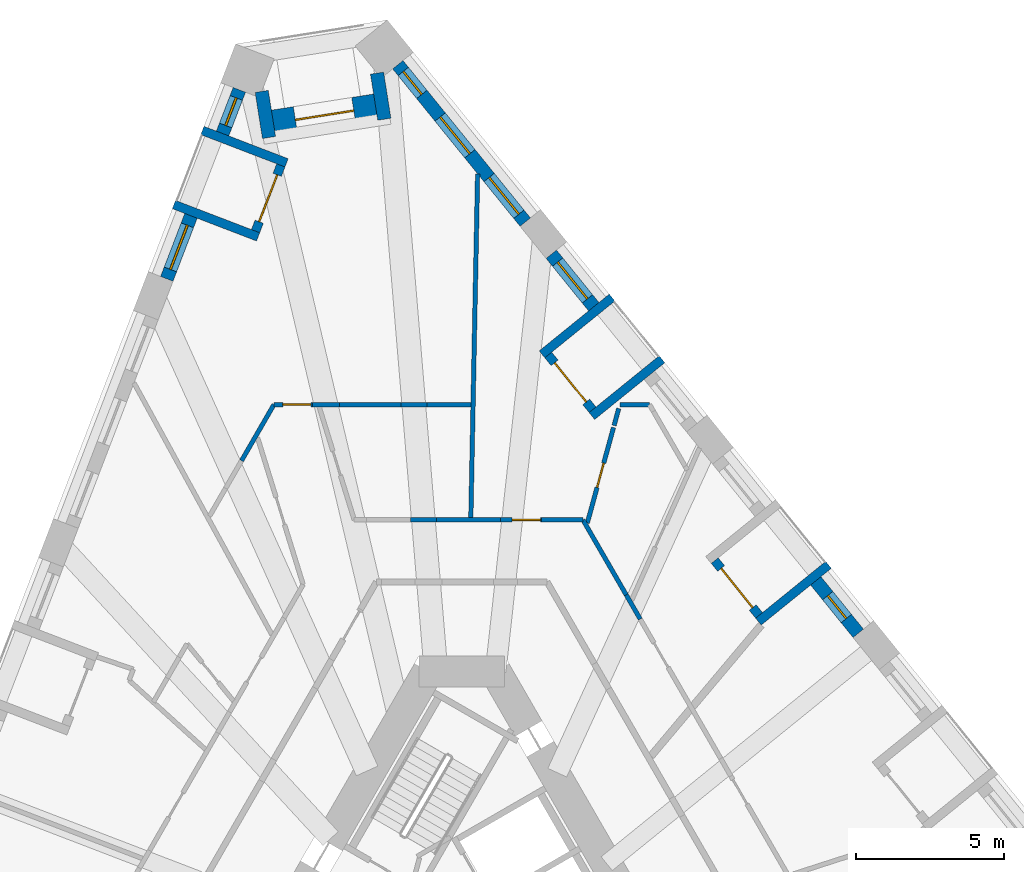
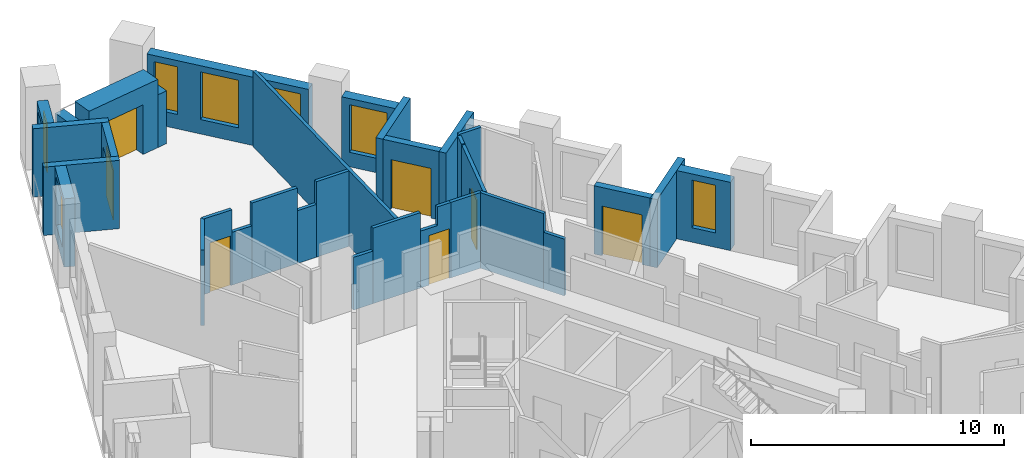
# One storey, part 9 of 14: 32 walls, 7 doors, 7 windows, 14 openings.
"""IFC4 building model written with IfcOpenShell, lengths in metres."""

from ifc_helpers import new_model, si_unit, direction, frame, frame_2d, origin, place, context, subcontext, project, spatial, polyline, rectangle, outline, extrude, material, layer, layer_set, type_object, element, fill, save


model = new_model("IFC4")

# Units and contexts
model_context = context("Model", 3, precision=1e-05, world=origin(), true_north=direction((0.0, 1.0)))
body_context = subcontext(model_context, "Body", "Model", "MODEL_VIEW")
ifc_project = project(units=[si_unit("LENGTHUNIT", "METRE"), si_unit("AREAUNIT", "SQUARE_METRE"), si_unit("VOLUMEUNIT", "CUBIC_METRE"), si_unit("PLANEANGLEUNIT", "RADIAN"), si_unit("MASSUNIT", "GRAM", prefix="KILO")], contexts=[model_context])

# Site, building, storey
site_placement = place(None, origin())
site = spatial("IfcSite", under=ifc_project, at=site_placement, CompositionType="ELEMENT")
building_placement = place(site_placement, origin())
building = spatial("IfcBuilding", under=site, at=building_placement, Name="Tramontana Tower", CompositionType="ELEMENT")
storey_placement = place(building_placement, frame((0.0, 0.0, 63.199951171875)))
storey = spatial("IfcBuildingStorey", under=building, at=storey_placement, Name="L13", CompositionType="ELEMENT", Elevation=63.199951171875)

# Wall, opening, window
ifc_material_1 = material(Name="Precast concrete 60 MPa", Category="concrete")
ifc_layer_1 = layer(ifc_material_1, 0.449951171875)
ifc_layer_set_1 = layer_set([ifc_layer_1], Name="Precast concrete 60 MPa, 450 mm")
wall_type_1 = type_object("IfcWallType", Name="EW1 Stone-faced precast wall 450", PredefinedType="SOLIDWALL", material=ifc_layer_set_1)
wall_1_placement = place(storey_placement, frame((-7.521728515625, 30.14453125, 0.0), z_axis=(0.0, 0.0, 1.0), x_axis=(-0.358431261356, -0.933556120907, 0.0)))
wall_1 = element("IfcWall", 1, at=wall_1_placement, inside=storey, type_object=wall_type_1, Name="External wall L13 face 0 bay 1", PredefinedType="SOLIDWALL", context=body_context, shape_type="SweptSolid", body=[
    extrude(rectangle(XDim=1.5830078125, YDim=0.449951171875, at=frame_2d((0.79150390625, 0.0))), origin(), (0.0, 0.0, 1.0), 3.300048828125),
])
opening_1_placement = place(wall_1_placement, frame((0.29150390625, 0.0, 0.699951171875)))
opening_1 = element("IfcOpeningElement", 2, at=opening_1_placement, cuts=wall_1, Name="Opening N1", PredefinedType="OPENING", context=body_context, shape_type="SweptSolid", body=[
    extrude(rectangle(XDim=1.0, YDim=2.300048828125, at=frame_2d((0.5, 1.14990234375))), frame((0.0, 0.23486328125, 0.0), z_axis=(0.0, -1.0, 0.0), x_axis=(1.0, 0.0, 0.0)), (0.0, 0.0, 1.0), 0.469970703125),
])
ifc_material_2 = material(Name="Aluminum frame, double glazing unit", Category="aluminium")
window_type_1 = type_object("IfcWindowType", Name="N1 Window 1 x 2.3", PartitioningType="SINGLE_PANEL", PredefinedType="WINDOW", material=ifc_material_2)
window_1_placement = place(opening_1_placement, origin())
window_1 = element("IfcWindow", 3, at=window_1_placement, inside=storey, type_object=window_type_1, Name="Window N1 L13 face 0 module 1", OverallHeight=2.300048828125, OverallWidth=1.0, PartitioningType="SINGLE_PANEL", PredefinedType="WINDOW", context=body_context, shape_type="SweptSolid", body=[
    extrude(rectangle(XDim=1.0, YDim=2.300048828125, at=frame_2d((0.5, 1.14990234375))), frame((0.0, 0.030029296875, 0.0), z_axis=(0.0, -1.0, 0.0), x_axis=(1.0, 0.0, 0.0)), (0.0, 0.0, 1.0), 0.06005859375),
])
fill(opening_1, window_1)

wall_2_placement = place(storey_placement, frame((-9.157958984375, 25.8818359375, 0.0), z_axis=(0.0, 0.0, 1.0), x_axis=(-0.358355550725, -0.933585185864, 0.0)))
wall_2 = element("IfcWall", 4, at=wall_2_placement, inside=storey, type_object=wall_type_1, Name="External wall L13 face 0 bay 1", PredefinedType="SOLIDWALL", context=body_context, shape_type="SweptSolid", body=[
    extrude(rectangle(XDim=2.282958984375, YDim=0.449951171875, at=frame_2d((1.1416015625, 0.0))), origin(), (0.0, 0.0, 1.0), 3.300048828125),
])
opening_2_placement = place(wall_2_placement, frame((0.341552734375, 0.0, 0.699951171875)))
opening_2 = element("IfcOpeningElement", 5, at=opening_2_placement, cuts=wall_2, Name="Opening M1", PredefinedType="OPENING", context=body_context, shape_type="SweptSolid", body=[
    extrude(rectangle(XDim=1.60009765625, YDim=2.300048828125, at=frame_2d((0.800048828125, 1.14990234375))), frame((0.0, 0.23486328125, 0.0), z_axis=(0.0, -1.0, 0.0), x_axis=(1.0, 0.0, 0.0)), (0.0, 0.0, 1.0), 0.469970703125),
])
ifc_material_3 = material(Name="Aluminum frame, double glazing unit", Category="aluminium")
window_type_2 = type_object("IfcWindowType", Name="M1 Window 1.6 x 2.3", PartitioningType="SINGLE_PANEL", PredefinedType="WINDOW", material=ifc_material_3)
window_2_placement = place(opening_2_placement, origin())
window_2 = element("IfcWindow", 6, at=window_2_placement, inside=storey, type_object=window_type_2, Name="Window M1 L13 face 0 module 3", OverallHeight=2.300048828125, OverallWidth=1.60009765625, PartitioningType="SINGLE_PANEL", PredefinedType="WINDOW", context=body_context, shape_type="SweptSolid", body=[
    extrude(rectangle(XDim=1.60009765625, YDim=2.300048828125, at=frame_2d((0.800048828125, 1.14990234375))), frame((0.0, 0.030029296875, 0.0), z_axis=(0.0, -1.0, 0.0), x_axis=(1.0, 0.0, 0.0)), (0.0, 0.0, 1.0), 0.06005859375),
])
fill(opening_2, window_2)

wall_3_placement = place(storey_placement, frame((13.412109375, 11.76171875, 0.0), z_axis=(0.0, 0.0, 1.0), x_axis=(-0.629339730135, 0.777130300576, 0.0)))
wall_3 = element("IfcWall", 7, at=wall_3_placement, inside=storey, type_object=wall_type_1, Name="External wall L13 face 2 bay 4", PredefinedType="SOLIDWALL", context=body_context, shape_type="SweptSolid", body=[
    extrude(rectangle(XDim=2.282958984375, YDim=0.449951171875, at=frame_2d((1.1416015625, 0.0))), origin(), (0.0, 0.0, 1.0), 3.300048828125),
])
opening_3_placement = place(wall_3_placement, frame((0.6416015625, 0.0, 0.699951171875)))
opening_3 = element("IfcOpeningElement", 8, at=opening_3_placement, cuts=wall_3, Name="Opening N1", PredefinedType="OPENING", context=body_context, shape_type="SweptSolid", body=[
    extrude(rectangle(XDim=1.0, YDim=2.300048828125, at=frame_2d((0.5, 1.14990234375))), frame((0.0, 0.23486328125, 0.0), z_axis=(0.0, -1.0, 0.0), x_axis=(1.0, 0.0, 0.0)), (0.0, 0.0, 1.0), 0.469970703125),
])
window_3_placement = place(opening_3_placement, origin())
window_3 = element("IfcWindow", 9, at=window_3_placement, inside=storey, type_object=window_type_1, Name="Window N1 L13 face 2 module 10", OverallHeight=2.300048828125, OverallWidth=1.0, PartitioningType="SINGLE_PANEL", PredefinedType="WINDOW", context=body_context, shape_type="SweptSolid", body=[
    extrude(rectangle(XDim=1.0, YDim=2.300048828125, at=frame_2d((0.5, 1.14990234375))), frame((0.0, 0.030029296875, 0.0), z_axis=(0.0, -1.0, 0.0), x_axis=(1.0, 0.0, 0.0)), (0.0, 0.0, 1.0), 0.06005859375),
])
fill(opening_3, window_3)

wall_4_placement = place(storey_placement, frame((4.46630859375, 22.80859375, 0.0), z_axis=(0.0, 0.0, 1.0), x_axis=(-0.629275139402, 0.777182603337, 0.0)))
wall_4 = element("IfcWall", 10, at=wall_4_placement, inside=storey, type_object=wall_type_1, Name="External wall L13 face 2 bay 5", PredefinedType="SOLIDWALL", context=body_context, shape_type="SweptSolid", body=[
    extrude(rectangle(XDim=2.28271484375, YDim=0.449951171875, at=frame_2d((1.141357421875, 0.0))), origin(), (0.0, 0.0, 1.0), 3.300048828125),
])
opening_4_placement = place(wall_4_placement, frame((0.341552734375, 0.0, 0.699951171875)))
opening_4 = element("IfcOpeningElement", 11, at=opening_4_placement, cuts=wall_4, Name="Opening M1", PredefinedType="OPENING", context=body_context, shape_type="SweptSolid", body=[
    extrude(rectangle(XDim=1.60009765625, YDim=2.300048828125, at=frame_2d((0.800048828125, 1.14990234375))), frame((0.0, 0.23486328125, 0.0), z_axis=(0.0, -1.0, 0.0), x_axis=(1.0, 0.0, 0.0)), (0.0, 0.0, 1.0), 0.469970703125),
])
window_4_placement = place(opening_4_placement, origin())
window_4 = element("IfcWindow", 12, at=window_4_placement, inside=storey, type_object=window_type_2, Name="Window M1 L13 face 2 module 15", OverallHeight=2.300048828125, OverallWidth=1.60009765625, PartitioningType="SINGLE_PANEL", PredefinedType="WINDOW", context=body_context, shape_type="SweptSolid", body=[
    extrude(rectangle(XDim=1.60009765625, YDim=2.300048828125, at=frame_2d((0.800048828125, 1.14990234375))), frame((0.0, 0.030029296875, 0.0), z_axis=(0.0, -1.0, 0.0), x_axis=(1.0, 0.0, 0.0)), (0.0, 0.0, 1.0), 0.06005859375),
])
fill(opening_4, window_4)

# Wall, openings, windows
wall_5_placement = place(storey_placement, frame((2.148681640625, 25.6708984375, 0.0), z_axis=(0.0, 0.0, 1.0), x_axis=(-0.629339730135, 0.777130300576, 0.0)))
wall_5 = element("IfcWall", 13, at=wall_5_placement, inside=storey, type_object=wall_type_1, Name="External wall L13 face 2 bay 6", PredefinedType="SOLIDWALL", context=body_context, shape_type="SweptSolid", body=[
    extrude(rectangle(XDim=6.848876953125, YDim=0.449951171875, at=frame_2d((3.42431640625, 0.0))), origin(), (0.0, 0.0, 1.0), 3.300048828125),
])
opening_5_placement = place(wall_5_placement, frame((0.341552734375, 0.0, 0.699951171875)))
opening_5 = element("IfcOpeningElement", 14, at=opening_5_placement, cuts=wall_5, Name="Opening M1", PredefinedType="OPENING", context=body_context, shape_type="SweptSolid", body=[
    extrude(rectangle(XDim=1.60009765625, YDim=2.300048828125, at=frame_2d((0.800048828125, 1.14990234375))), frame((0.0, 0.23486328125, 0.0), z_axis=(0.0, -1.0, 0.0), x_axis=(1.0, 0.0, 0.0)), (0.0, 0.0, 1.0), 0.469970703125),
])
opening_6_placement = place(wall_5_placement, frame((2.974365234375, 0.0, 0.699951171875)))
opening_6 = element("IfcOpeningElement", 15, at=opening_6_placement, cuts=wall_5, Name="Opening M1", PredefinedType="OPENING", context=body_context, shape_type="SweptSolid", body=[
    extrude(rectangle(XDim=1.60009765625, YDim=2.300048828125, at=frame_2d((0.800048828125, 1.14990234375))), frame((0.0, 0.23486328125, 0.0), z_axis=(0.0, -1.0, 0.0), x_axis=(1.0, 0.0, 0.0)), (0.0, 0.0, 1.0), 0.469970703125),
])
opening_7_placement = place(wall_5_placement, frame((5.557373046875, 0.0, 0.699951171875)))
opening_7 = element("IfcOpeningElement", 16, at=opening_7_placement, cuts=wall_5, Name="Opening N1", PredefinedType="OPENING", context=body_context, shape_type="SweptSolid", body=[
    extrude(rectangle(XDim=1.0, YDim=2.300048828125, at=frame_2d((0.5, 1.14990234375))), frame((0.0, 0.23486328125, 0.0), z_axis=(0.0, -1.0, 0.0), x_axis=(1.0, 0.0, 0.0)), (0.0, 0.0, 1.0), 0.469970703125),
])
window_5_placement = place(opening_5_placement, origin())
window_5 = element("IfcWindow", 17, at=window_5_placement, inside=storey, type_object=window_type_2, Name="Window M1 L13 face 2 module 16", OverallHeight=2.300048828125, OverallWidth=1.60009765625, PartitioningType="SINGLE_PANEL", PredefinedType="WINDOW", context=body_context, shape_type="SweptSolid", body=[
    extrude(rectangle(XDim=1.60009765625, YDim=2.300048828125, at=frame_2d((0.800048828125, 1.14990234375))), frame((0.0, 0.030029296875, 0.0), z_axis=(0.0, -1.0, 0.0), x_axis=(1.0, 0.0, 0.0)), (0.0, 0.0, 1.0), 0.06005859375),
])
fill(opening_5, window_5)
window_6_placement = place(opening_6_placement, origin())
window_6 = element("IfcWindow", 18, at=window_6_placement, inside=storey, type_object=window_type_2, Name="Window M1 L13 face 2 module 17", OverallHeight=2.300048828125, OverallWidth=1.60009765625, PartitioningType="SINGLE_PANEL", PredefinedType="WINDOW", context=body_context, shape_type="SweptSolid", body=[
    extrude(rectangle(XDim=1.60009765625, YDim=2.300048828125, at=frame_2d((0.800048828125, 1.14990234375))), frame((0.0, 0.030029296875, 0.0), z_axis=(0.0, -1.0, 0.0), x_axis=(1.0, 0.0, 0.0)), (0.0, 0.0, 1.0), 0.06005859375),
])
fill(opening_6, window_6)
window_7_placement = place(opening_7_placement, origin())
window_7 = element("IfcWindow", 19, at=window_7_placement, inside=storey, type_object=window_type_1, Name="Window N1 L13 face 2 module 18", OverallHeight=2.300048828125, OverallWidth=1.0, PartitioningType="SINGLE_PANEL", PredefinedType="WINDOW", context=body_context, shape_type="SweptSolid", body=[
    extrude(rectangle(XDim=1.0, YDim=2.300048828125, at=frame_2d((0.5, 1.14990234375))), frame((0.0, 0.030029296875, 0.0), z_axis=(0.0, -1.0, 0.0), x_axis=(1.0, 0.0, 0.0)), (0.0, 0.0, 1.0), 0.06005859375),
])
fill(opening_7, window_7)

# Walls
for number, where, z_axis, x_axis, name in (
    (20, (-6.765625, 30.09130859375, 0.0), (0.0, 0.0, 1.0), (0.156446802793, -0.987686386408, 0.0), "Corner loggia side wall L13 K10l"),
    (21, (-2.8642578125, 30.709228515625, 0.0), (0.0, 0.0, 1.0), (0.156446802793, -0.987686386408, 0.0), "Corner loggia side wall L13 K10r"),
):
    element("IfcWall", number, at=place(storey_placement, frame(where, z_axis=z_axis, x_axis=x_axis)), inside=storey, type_object=wall_type_1, Name=name, PredefinedType="SOLIDWALL", context=body_context, shape_type="SweptSolid", body=[
        extrude(rectangle(XDim=1.579345703125, YDim=0.449951171875, at=frame_2d((0.78955078125, 0.0))), origin(), (0.0, 0.0, 1.0), 2.550048828125),
    ])

# Wall, opening, door
ifc_material_4 = material(Name="Precast concrete 60 MPa", Category="concrete")
ifc_layer_2 = layer(ifc_material_4, 0.89990234375)
ifc_layer_set_2 = layer_set([ifc_layer_2], Name="EW2 Stone-faced corner loggia wall 900")
wall_type_2 = type_object("IfcWallType", Name="EW2 Stone-faced corner loggia wall 900", PredefinedType="SOLIDWALL", material=ifc_layer_set_2)
wall_6_placement = place(storey_placement, frame((-6.36669921875, 29.01123046875, 0.0), z_axis=(0.0, 0.0, 1.0), x_axis=(0.987683654859, 0.156464046744, 0.0)))
wall_6 = element("IfcWall", 22, at=wall_6_placement, inside=storey, type_object=wall_type_2, Name="Corner loggia wall L13 K10", PredefinedType="SOLIDWALL", context=body_context, shape_type="SweptSolid", body=[
    extrude(rectangle(XDim=3.5, YDim=0.89990234375, at=frame_2d((1.75, 0.0))), origin(), (0.0, 0.0, 1.0), 3.300048828125),
])
opening_8_placement = place(wall_6_placement, frame((0.75, 0.0, 0.0)))
opening_8 = element("IfcOpeningElement", 23, at=opening_8_placement, cuts=wall_6, Name="Opening BD-10C", PredefinedType="OPENING", context=body_context, shape_type="SweptSolid", body=[
    extrude(rectangle(XDim=2.0, YDim=2.39990234375, at=frame_2d((1.0, 1.199951171875))), frame((0.0, 0.4599609375, 0.0), z_axis=(0.0, -1.0, 0.0), x_axis=(1.0, 0.0, 0.0)), (0.0, 0.0, 1.0), 0.919921875),
])
ifc_material_5 = material(Name="Aluminum frame, double glazing unit", Category="aluminium")
door_type_1 = type_object("IfcDoorType", Name="BC1 Sliding door 2 x 2.4", OperationType="SLIDING_TO_LEFT", PredefinedType="DOOR", material=ifc_material_5)
door_1_placement = place(opening_8_placement, origin())
door_1 = element("IfcDoor", 24, at=door_1_placement, inside=storey, type_object=door_type_1, Name="Corner loggia door L13 K10", OperationType="SLIDING_TO_LEFT", OverallHeight=2.39990234375, OverallWidth=2.0, PredefinedType="DOOR", context=body_context, shape_type="SweptSolid", body=[
    extrude(rectangle(XDim=2.0, YDim=2.39990234375, at=frame_2d((1.0, 1.199951171875))), frame((0.0, 0.02490234375, 0.0), z_axis=(0.0, -1.0, 0.0), x_axis=(1.0, 0.0, 0.0)), (0.0, 0.0, 1.0), 0.050048828125),
])
fill(opening_8, door_1)

ifc_material_6 = material(Name="Precast concrete 60 MPa", Category="concrete")
ifc_layer_3 = layer(ifc_material_6, 0.300048828125)
ifc_layer_set_3 = layer_set([ifc_layer_3], Name="LW1 Stone-faced loggia wall 300")
wall_type_3 = type_object("IfcWallType", Name="LW1 Stone-faced loggia wall 300", PredefinedType="SOLIDWALL", material=ifc_layer_set_3)
wall_7_placement = place(storey_placement, frame((-6.119384765625, 27.58935546875, 0.0), z_axis=(0.0, 0.0, 1.0), x_axis=(-0.358354292693, -0.933585668757, 0.0)))
wall_7 = element("IfcWall", 25, at=wall_7_placement, inside=storey, type_object=wall_type_3, Name="Loggia wall L13 G1S0.1", PredefinedType="SOLIDWALL", context=body_context, shape_type="SweptSolid", body=[
    extrude(rectangle(XDim=2.383056640625, YDim=0.300048828125, at=frame_2d((1.19140625, 0.0))), origin(), (0.0, 0.0, 1.0), 3.300048828125),
])
opening_9_placement = place(wall_7_placement, frame((0.341552734375, 0.0, 0.0)))
opening_9 = element("IfcOpeningElement", 26, at=opening_9_placement, cuts=wall_7, Name="Opening BD-1S0-01", PredefinedType="OPENING", context=body_context, shape_type="SweptSolid", body=[
    extrude(rectangle(XDim=1.699951171875, YDim=2.39990234375, at=frame_2d((0.85009765625, 1.199951171875))), frame((0.0, 0.159912109375, 0.0), z_axis=(0.0, -1.0, 0.0), x_axis=(1.0, 0.0, 0.0)), (0.0, 0.0, 1.0), 0.320068359375),
])
ifc_material_7 = material(Name="Aluminum frame, double glazing unit", Category="aluminium")
door_type_2 = type_object("IfcDoorType", Name="BD1 Sliding door 1.7 x 2.4", OperationType="SLIDING_TO_LEFT", PredefinedType="DOOR", material=ifc_material_7)
door_2_placement = place(opening_9_placement, origin())
door_2 = element("IfcDoor", 27, at=door_2_placement, inside=storey, type_object=door_type_2, Name="Loggia door L13 G1S0.1", OperationType="SLIDING_TO_LEFT", OverallHeight=2.39990234375, OverallWidth=1.699951171875, PredefinedType="DOOR", context=body_context, shape_type="SweptSolid", body=[
    extrude(rectangle(XDim=1.699951171875, YDim=2.39990234375, at=frame_2d((0.85009765625, 1.199951171875))), frame((0.0, 0.02490234375, 0.0), z_axis=(0.0, -1.0, 0.0), x_axis=(1.0, 0.0, 0.0)), (0.0, 0.0, 1.0), 0.050048828125),
])
fill(opening_9, door_2)

# Walls
for number, where, z_axis, x_axis, name in (
    (28, (-8.77294921875, 28.7685546875, 0.0), (0.0, 0.0, 1.0), (0.933580593625, -0.358367514161, 0.0), "Loggia return L13 G1S0.1a"),
    (29, (-9.734375, 26.263671875, 0.0), (0.0, 0.0, 1.0), (0.933580593625, -0.358367514161, 0.0), "Loggia return L13 G1S0.1b"),
):
    element("IfcWall", number, at=place(storey_placement, frame(where, z_axis=z_axis, x_axis=x_axis)), inside=storey, type_object=wall_type_3, Name=name, PredefinedType="SOLIDWALL", context=body_context, shape_type="SweptSolid", body=[
        extrude(rectangle(XDim=3.050048828125, YDim=0.300048828125, at=frame_2d((1.52490234375, 0.0))), origin(), (0.0, 0.0, 1.0), 3.300048828125),
    ])

# Wall, opening, door
wall_8_placement = place(storey_placement, frame((10.057373046875, 12.36865234375, 0.0), z_axis=(0.0, 0.0, 1.0), x_axis=(-0.629257171563, 0.777197151331, 0.0)))
wall_8 = element("IfcWall", 30, at=wall_8_placement, inside=storey, type_object=wall_type_3, Name="Loggia wall L13 G1S2.10", PredefinedType="SOLIDWALL", context=body_context, shape_type="SweptSolid", body=[
    extrude(rectangle(XDim=2.383056640625, YDim=0.300048828125, at=frame_2d((1.19140625, 0.0))), origin(), (0.0, 0.0, 1.0), 3.300048828125),
])
opening_10_placement = place(wall_8_placement, frame((0.341552734375, 0.0, 0.0)))
opening_10 = element("IfcOpeningElement", 31, at=opening_10_placement, cuts=wall_8, Name="Opening BD-1S2-10", PredefinedType="OPENING", context=body_context, shape_type="SweptSolid", body=[
    extrude(rectangle(XDim=1.699951171875, YDim=2.39990234375, at=frame_2d((0.85009765625, 1.199951171875))), frame((0.0, 0.159912109375, 0.0), z_axis=(0.0, -1.0, 0.0), x_axis=(1.0, 0.0, 0.0)), (0.0, 0.0, 1.0), 0.320068359375),
])
door_3_placement = place(opening_10_placement, origin())
door_3 = element("IfcDoor", 32, at=door_3_placement, inside=storey, type_object=door_type_2, Name="Loggia door L13 G1S2.10", OperationType="SLIDING_TO_LEFT", OverallHeight=2.39990234375, OverallWidth=1.699951171875, PredefinedType="DOOR", context=body_context, shape_type="SweptSolid", body=[
    extrude(rectangle(XDim=1.699951171875, YDim=2.39990234375, at=frame_2d((0.85009765625, 1.199951171875))), frame((0.0, 0.02490234375, 0.0), z_axis=(0.0, -1.0, 0.0), x_axis=(1.0, 0.0, 0.0)), (0.0, 0.0, 1.0), 0.050048828125),
])
fill(opening_10, door_3)

# Wall
wall_9_placement = place(storey_placement, frame((12.405517578125, 14.0771484375, 0.0), z_axis=(0.0, 0.0, 1.0), x_axis=(-0.777153523895, -0.629311052102, 0.0)))
element("IfcWall", 33, at=wall_9_placement, inside=storey, type_object=wall_type_3, Name="Loggia return L13 G1S2.10a", PredefinedType="SOLIDWALL", context=body_context, shape_type="SweptSolid", body=[
    extrude(rectangle(XDim=3.050048828125, YDim=0.300048828125, at=frame_2d((1.52490234375, 0.0))), origin(), (0.0, 0.0, 1.0), 3.300048828125),
])

# Wall, opening, door
wall_10_placement = place(storey_placement, frame((4.42578125, 19.323486328125, 0.0), z_axis=(0.0, 0.0, 1.0), x_axis=(-0.629369155682, 0.777106470103, 0.0)))
wall_10 = element("IfcWall", 34, at=wall_10_placement, inside=storey, type_object=wall_type_3, Name="Loggia wall L13 G1S2.13", PredefinedType="SOLIDWALL", context=body_context, shape_type="SweptSolid", body=[
    extrude(rectangle(XDim=2.383056640625, YDim=0.300048828125, at=frame_2d((1.19140625, 0.0))), origin(), (0.0, 0.0, 1.0), 3.300048828125),
])
opening_11_placement = place(wall_10_placement, frame((0.341552734375, 0.0, 0.0)))
opening_11 = element("IfcOpeningElement", 35, at=opening_11_placement, cuts=wall_10, Name="Opening BD-1S2-13", PredefinedType="OPENING", context=body_context, shape_type="SweptSolid", body=[
    extrude(rectangle(XDim=1.699951171875, YDim=2.39990234375, at=frame_2d((0.85009765625, 1.199951171875))), frame((0.0, 0.159912109375, 0.0), z_axis=(0.0, -1.0, 0.0), x_axis=(1.0, 0.0, 0.0)), (0.0, 0.0, 1.0), 0.320068359375),
])
door_4_placement = place(opening_11_placement, origin())
door_4 = element("IfcDoor", 36, at=door_4_placement, inside=storey, type_object=door_type_2, Name="Loggia door L13 G1S2.13", OperationType="SLIDING_TO_LEFT", OverallHeight=2.39990234375, OverallWidth=1.699951171875, PredefinedType="DOOR", context=body_context, shape_type="SweptSolid", body=[
    extrude(rectangle(XDim=1.699951171875, YDim=2.39990234375, at=frame_2d((0.85009765625, 1.199951171875))), frame((0.0, 0.02490234375, 0.0), z_axis=(0.0, -1.0, 0.0), x_axis=(1.0, 0.0, 0.0)), (0.0, 0.0, 1.0), 0.050048828125),
])
fill(opening_11, door_4)

# Walls
for number, where, z_axis, x_axis, name in (
    (37, (6.77392578125, 21.03173828125, 0.0), (0.0, 0.0, 1.0), (-0.777153523895, -0.629311052102, 0.0), "Loggia return L13 G1S2.13a"),
    (38, (5.08544921875, 23.116943359375, 0.0), (0.0, 0.0, 1.0), (-0.777153523895, -0.629311052102, 0.0), "Loggia return L13 G1S2.13b"),
):
    element("IfcWall", number, at=place(storey_placement, frame(where, z_axis=z_axis, x_axis=x_axis)), inside=storey, type_object=wall_type_3, Name=name, PredefinedType="SOLIDWALL", context=body_context, shape_type="SweptSolid", body=[
        extrude(rectangle(XDim=3.050048828125, YDim=0.300048828125, at=frame_2d((1.52490234375, 0.0))), origin(), (0.0, 0.0, 1.0), 3.300048828125),
    ])
ifc_material_8 = material(Name="Gypsum board partition")
ifc_layer_4 = layer(ifc_material_8, 0.14990234375)
ifc_layer_set_4 = layer_set([ifc_layer_4], Name="PARTITION 150")
wall_type_4 = type_object("IfcWallType", Name="PARTITION 150", PredefinedType="PARTITIONING", material=ifc_layer_set_4)
wall_11_placement = place(storey_placement, frame((-7.446533203125, 17.60205078125, 0.0), z_axis=(0.0, 0.0, 1.0), x_axis=(0.499973180286, 0.8660408876, 0.0)))
element("IfcWall", 39, at=wall_11_placement, inside=storey, type_object=wall_type_4, Name="Wall v11-pw22-2", PredefinedType="PARTITIONING", context=body_context, shape_type="SweptSolid", body=[
    extrude(rectangle(XDim=2.19140625, YDim=0.14990234375, at=frame_2d((1.095703125, 0.0))), origin(), (0.0, 0.0, 1.0), 3.650146484375),
])

# Wall, opening, door
wall_12_placement = place(storey_placement, frame((-6.350830078125, 19.5, 0.0), z_axis=(0.0, 0.0, 1.0), x_axis=(1.0, 0.0, 0.0)))
wall_12 = element("IfcWall", 40, at=wall_12_placement, inside=storey, type_object=wall_type_4, Name="Wall v11-pw25-0", PredefinedType="PARTITIONING", context=body_context, shape_type="SweptSolid", body=[
    extrude(rectangle(XDim=1.311279296875, YDim=0.14990234375, at=frame_2d((0.65576171875, 0.0))), origin(), (0.0, 0.0, 1.0), 3.650146484375),
])
opening_12_placement = place(wall_12_placement, frame((0.298095703125, 0.0, 0.0)))
opening_12 = element("IfcOpeningElement", 41, at=opening_12_placement, cuts=wall_12, Name="Opening B1B-03", PredefinedType="OPENING", context=body_context, shape_type="SweptSolid", body=[
    extrude(rectangle(XDim=0.949951171875, YDim=2.39990234375, at=frame_2d((0.47509765625, 1.199951171875))), frame((0.0, 0.0849609375, 0.0), z_axis=(0.0, -1.0, 0.0), x_axis=(1.0, 0.0, 0.0)), (0.0, 0.0, 1.0), 0.169921875),
])
ifc_material_9 = material(Name="Painted timber", Category="wood")
door_type_3 = type_object("IfcDoorType", Name="DOOR ROOM 950", OperationType="SINGLE_SWING_LEFT", PredefinedType="DOOR", material=ifc_material_9)
door_5_placement = place(opening_12_placement, origin())
door_5 = element("IfcDoor", 42, at=door_5_placement, inside=storey, type_object=door_type_3, Name="Door B1B-03", OperationType="SINGLE_SWING_LEFT", OverallHeight=2.39990234375, OverallWidth=0.949951171875, PredefinedType="DOOR", context=body_context, shape_type="SweptSolid", body=[
    extrude(rectangle(XDim=0.949951171875, YDim=2.39990234375, at=frame_2d((0.47509765625, 1.199951171875))), frame((0.0, 0.02490234375, 0.0), z_axis=(0.0, -1.0, 0.0), x_axis=(1.0, 0.0, 0.0)), (0.0, 0.0, 1.0), 0.050048828125),
])
fill(opening_12, door_5)

# Walls
wall_13_placement = place(storey_placement, frame((-5.03955078125, 19.5, 0.0), z_axis=(0.0, 0.0, 1.0), x_axis=(1.0, 0.0, 0.0)))
element("IfcWall", 43, at=wall_13_placement, inside=storey, type_object=wall_type_4, Name="Wall v11-pw25-1", PredefinedType="PARTITIONING", context=body_context, shape_type="SweptSolid", body=[
    extrude(rectangle(XDim=0.89892578125, YDim=0.14990234375, at=frame_2d((0.449462890625, 0.0))), origin(), (0.0, 0.0, 1.0), 2.550048828125),
])
wall_14_placement = place(storey_placement, frame((-4.140625, 19.5, 0.0), z_axis=(0.0, 0.0, 1.0), x_axis=(1.0, 0.0, 0.0)))
element("IfcWall", 44, at=wall_14_placement, inside=storey, type_object=wall_type_4, Name="Wall v11-pw25-2", PredefinedType="PARTITIONING", context=body_context, shape_type="SweptSolid", body=[
    extrude(rectangle(XDim=2.079833984375, YDim=0.14990234375, at=frame_2d((1.0400390625, 0.0))), origin(), (0.0, 0.0, 1.0), 3.650146484375),
])
wall_15_placement = place(storey_placement, frame((-2.060791015625, 19.5, 0.0), z_axis=(0.0, 0.0, 1.0), x_axis=(1.0, 0.0, 0.0)))
element("IfcWall", 45, at=wall_15_placement, inside=storey, type_object=wall_type_4, Name="Wall v11-pw25-3", PredefinedType="PARTITIONING", context=body_context, shape_type="SweptSolid", body=[
    extrude(rectangle(XDim=0.878173828125, YDim=0.14990234375, at=frame_2d((0.43896484375, 0.0))), origin(), (0.0, 0.0, 1.0), 2.550048828125),
])
wall_16_placement = place(storey_placement, frame((-1.1826171875, 19.5, 0.0), z_axis=(0.0, 0.0, 1.0), x_axis=(1.0, 0.0, 0.0)))
element("IfcWall", 46, at=wall_16_placement, inside=storey, type_object=wall_type_4, Name="Wall v11-pw25-4", PredefinedType="PARTITIONING", context=body_context, shape_type="SweptSolid", body=[
    extrude(rectangle(XDim=1.4912109375, YDim=0.14990234375, at=frame_2d((0.74560546875, 0.0))), origin(), (0.0, 0.0, 1.0), 3.650146484375),
])
wall_17_placement = place(storey_placement, frame((-1.736328125, 15.60009765625, 0.0), z_axis=(0.0, 0.0, 1.0), x_axis=(1.0, 0.0, 0.0)))
element("IfcWall", 47, at=wall_17_placement, inside=storey, type_object=wall_type_4, Name="Wall v11-pw28-2", PredefinedType="PARTITIONING", context=body_context, shape_type="SweptSolid", body=[
    extrude(rectangle(XDim=0.8779296875, YDim=0.14990234375, at=frame_2d((0.43896484375, 0.0))), origin(), (0.0, 0.0, 1.0), 2.550048828125),
])
wall_18_placement = place(storey_placement, frame((-0.8583984375, 15.60009765625, 0.0), z_axis=(0.0, 0.0, 1.0), x_axis=(1.0, 0.0, 0.0)))
element("IfcWall", 48, at=wall_18_placement, inside=storey, type_object=wall_type_4, Name="Wall v11-pw28-3", PredefinedType="PARTITIONING", context=body_context, shape_type="SweptSolid", body=[
    extrude(rectangle(XDim=2.175048828125, YDim=0.14990234375, at=frame_2d((1.08740234375, 0.0))), origin(), (0.0, 0.0, 1.0), 3.650146484375),
])

# Wall, opening, door
wall_19_placement = place(storey_placement, frame((1.316650390625, 15.60009765625, 0.0), z_axis=(0.0, 0.0, 1.0), x_axis=(1.0, 0.0, 0.0)))
wall_19 = element("IfcWall", 49, at=wall_19_placement, inside=storey, type_object=wall_type_4, Name="Wall v11-pw28-4", PredefinedType="PARTITIONING", context=body_context, shape_type="SweptSolid", body=[
    extrude(outline(polyline([(0.0, 0.0), (1.389892578125, 0.0), (1.389892578125, 3.650146484375), (0.779541015625, 3.650146484375), (0.779541015625, 2.75), (0.0, 2.75), (0.0, 0.0)])), frame((0.0, 0.074951171875, 0.0), z_axis=(0.0, -1.0, 0.0), x_axis=(1.0, 0.0, 0.0)), (0.0, 0.0, 1.0), 0.14990234375),
])
opening_13_placement = place(wall_19_placement, frame((0.389892578125, 0.0, 0.0)))
opening_13 = element("IfcOpeningElement", 50, at=opening_13_placement, cuts=wall_19, Name="Opening B1B-04", PredefinedType="OPENING", context=body_context, shape_type="SweptSolid", body=[
    extrude(rectangle(XDim=0.949951171875, YDim=2.39990234375, at=frame_2d((0.47509765625, 1.199951171875))), frame((0.0, 0.0849609375, 0.0), z_axis=(0.0, -1.0, 0.0), x_axis=(1.0, 0.0, 0.0)), (0.0, 0.0, 1.0), 0.169921875),
])
door_6_placement = place(opening_13_placement, origin())
door_6 = element("IfcDoor", 51, at=door_6_placement, inside=storey, type_object=door_type_3, Name="Door B1B-04", OperationType="SINGLE_SWING_RIGHT", OverallHeight=2.39990234375, OverallWidth=0.949951171875, PredefinedType="DOOR", context=body_context, shape_type="SweptSolid", body=[
    extrude(rectangle(XDim=0.949951171875, YDim=2.39990234375, at=frame_2d((0.47509765625, 1.199951171875))), frame((0.0, 0.02490234375, 0.0), z_axis=(0.0, -1.0, 0.0), x_axis=(1.0, 0.0, 0.0)), (0.0, 0.0, 1.0), 0.050048828125),
])
fill(opening_13, door_6)

# Walls
wall_20_placement = place(storey_placement, frame((2.70654296875, 15.60009765625, 0.0), z_axis=(0.0, 0.0, 1.0), x_axis=(1.0, 0.0, 0.0)))
element("IfcWall", 52, at=wall_20_placement, inside=storey, type_object=wall_type_4, Name="Wall v11-pw28-5", PredefinedType="PARTITIONING", context=body_context, shape_type="SweptSolid", body=[
    extrude(rectangle(XDim=1.392578125, YDim=0.14990234375, at=frame_2d((0.6962890625, 0.0))), origin(), (0.0, 0.0, 1.0), 3.650146484375),
])
wall_21_placement = place(storey_placement, frame((0.537109375, 27.303466796875, 0.0), z_axis=(0.0, 0.0, 1.0), x_axis=(-0.019668669749, -0.999806553004, 0.0)))
element("IfcWall", 53, at=wall_21_placement, inside=storey, type_object=wall_type_4, Name="Wall v11-pw32", PredefinedType="PARTITIONING", context=body_context, shape_type="SweptSolid", body=[
    extrude(rectangle(XDim=11.630615234375, YDim=0.14990234375, at=frame_2d((5.8154296875, 0.0))), origin(), (0.0, 0.0, 1.0), 3.650146484375),
])
wall_22_placement = place(storey_placement, frame((4.09912109375, 15.60009765625, 0.0), z_axis=(0.0, 0.0, 1.0), x_axis=(0.500013600279, -0.866017551517, 0.0)))
element("IfcWall", 54, at=wall_22_placement, inside=storey, type_object=wall_type_4, Name="Wall v11-pw35-0", PredefinedType="PARTITIONING", context=body_context, shape_type="SweptSolid", body=[
    extrude(rectangle(XDim=2.927734375, YDim=0.14990234375, at=frame_2d((1.4638671875, 0.0))), origin(), (0.0, 0.0, 1.0), 3.650146484375),
])
wall_23_placement = place(storey_placement, frame((5.56298828125, 13.064697265625, 0.0), z_axis=(0.0, 0.0, 1.0), x_axis=(0.500033686847, -0.8660059538, 0.0)))
element("IfcWall", 55, at=wall_23_placement, inside=storey, type_object=wall_type_4, Name="Wall v11-pw35-1", PredefinedType="PARTITIONING", context=body_context, shape_type="SweptSolid", body=[
    extrude(rectangle(XDim=0.95068359375, YDim=0.14990234375, at=frame_2d((0.475341796875, 0.0))), origin(), (0.0, 0.0, 1.0), 2.75),
])

# Wall, opening, door
wall_24_placement = place(storey_placement, frame((5.134033203125, 18.72314453125, 0.0), z_axis=(0.0, 0.0, 1.0), x_axis=(-0.264455208526, -0.964397969037, 0.0)))
wall_24 = element("IfcWall", 56, at=wall_24_placement, inside=storey, type_object=wall_type_4, Name="Wall v11-pw36", PredefinedType="PARTITIONING", context=body_context, shape_type="SweptSolid", body=[
    extrude(rectangle(XDim=3.350341796875, YDim=0.14990234375, at=frame_2d((1.67529296875, 0.0))), origin(), (0.0, 0.0, 1.0), 3.650146484375),
])
opening_14_placement = place(wall_24_placement, frame((1.250244140625, 0.0, 0.0)))
opening_14 = element("IfcOpeningElement", 57, at=opening_14_placement, cuts=wall_24, Name="Opening B1B-09", PredefinedType="OPENING", context=body_context, shape_type="SweptSolid", body=[
    extrude(rectangle(XDim=0.85009765625, YDim=2.39990234375, at=frame_2d((0.425048828125, 1.199951171875))), frame((0.0, 0.0849609375, 0.0), z_axis=(0.0, -1.0, 0.0), x_axis=(1.0, 0.0, 0.0)), (0.0, 0.0, 1.0), 0.169921875),
])
ifc_material_10 = material(Name="Painted timber", Category="wood")
door_type_4 = type_object("IfcDoorType", Name="DOOR BATH 850", OperationType="SINGLE_SWING_LEFT", PredefinedType="DOOR", material=ifc_material_10)
door_7_placement = place(opening_14_placement, origin())
door_7 = element("IfcDoor", 58, at=door_7_placement, inside=storey, type_object=door_type_4, Name="Door B1B-09", OperationType="SINGLE_SWING_LEFT", OverallHeight=2.39990234375, OverallWidth=0.85009765625, PredefinedType="DOOR", context=body_context, shape_type="SweptSolid", body=[
    extrude(rectangle(XDim=0.85009765625, YDim=2.39990234375, at=frame_2d((0.425048828125, 1.199951171875))), frame((0.0, 0.02490234375, 0.0), z_axis=(0.0, -1.0, 0.0), x_axis=(1.0, 0.0, 0.0)), (0.0, 0.0, 1.0), 0.050048828125),
])
fill(opening_14, door_7)

# Walls
wall_25_placement = place(storey_placement, frame((5.152587890625, 18.790771484375, 0.0), z_axis=(0.0, 0.0, 1.0), x_axis=(0.264642283769, 0.964346650143, 0.0)))
element("IfcWall", 59, at=wall_25_placement, inside=storey, type_object=wall_type_4, Name="Wall v11-pw37", PredefinedType="PARTITIONING", context=body_context, shape_type="SweptSolid", body=[
    extrude(rectangle(XDim=0.595947265625, YDim=0.14990234375, at=frame_2d((0.2978515625, 0.0))), origin(), (0.0, 0.0, 1.0), 3.650146484375),
])
wall_26_placement = place(storey_placement, frame((5.34716796875, 19.5, 0.0), z_axis=(0.0, 0.0, 1.0), x_axis=(1.0, 0.0, 0.0)))
element("IfcWall", 60, at=wall_26_placement, inside=storey, type_object=wall_type_4, Name="Wall v11-pw38", PredefinedType="PARTITIONING", context=body_context, shape_type="SweptSolid", body=[
    extrude(rectangle(XDim=1.003662109375, YDim=0.14990234375, at=frame_2d((0.501953125, 0.0))), origin(), (0.0, 0.0, 1.0), 3.650146484375),
])

save(model, "model.ifc")
